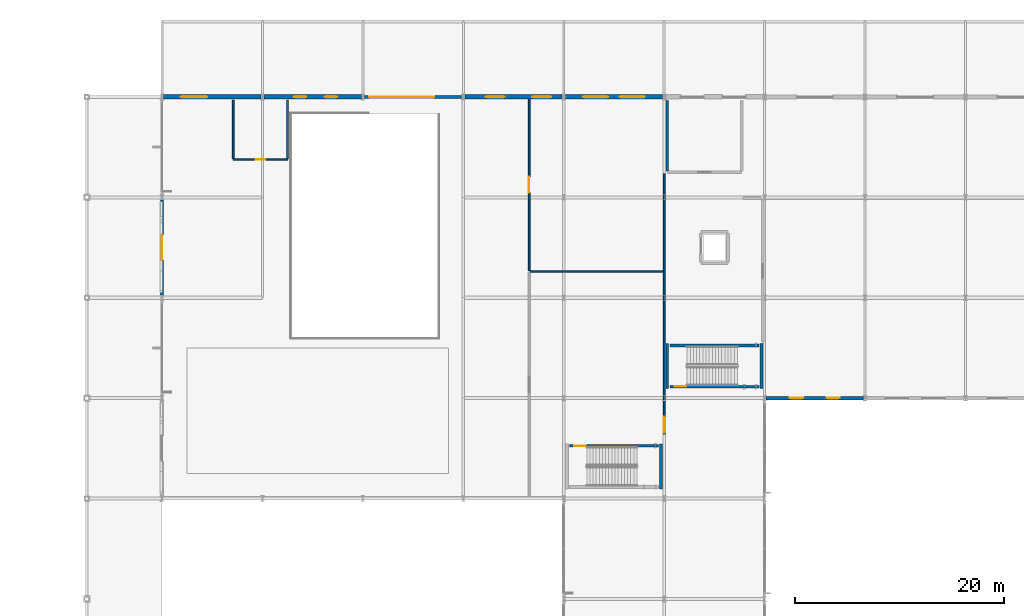
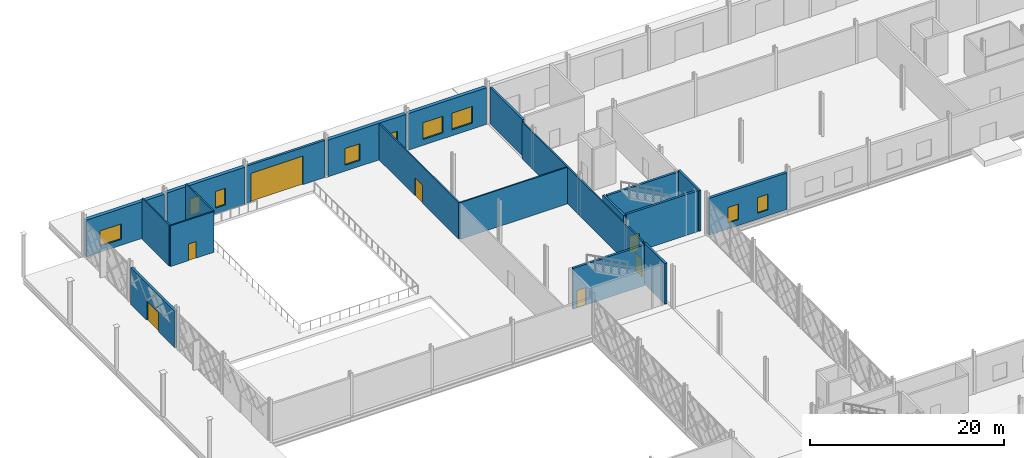
# One storey, part 55 of 84: 20 walls, 9 windows, 7 doors, 16 openings.
"""IFC4 building model written with IfcOpenShell, lengths in metres."""

from ifc_helpers import new_model, si_unit, direction, frame, frame_2d, origin, place, context, subcontext, project, spatial, rectangle, extrude, material, layer, layer_set, type_object, element, fill, save


model = new_model("IFC4")

# Units and contexts
model_context = context("Model", 3, precision=1e-05, world=origin(), true_north=direction((0.0, 1.0)))
body_context = subcontext(model_context, "Body", "Model", "MODEL_VIEW")
ifc_project = project(units=[si_unit("LENGTHUNIT", "METRE"), si_unit("AREAUNIT", "SQUARE_METRE"), si_unit("VOLUMEUNIT", "CUBIC_METRE"), si_unit("PLANEANGLEUNIT", "RADIAN"), si_unit("MASSUNIT", "GRAM", prefix="KILO")], contexts=[model_context])

# Site, building, storey
site_placement = place(None, origin())
site = spatial("IfcSite", under=ifc_project, at=site_placement, CompositionType="ELEMENT")
building_placement = place(site_placement, origin())
building = spatial("IfcBuilding", under=site, at=building_placement, Name="Zevrakil Square Congress Hotel", CompositionType="ELEMENT")
storey_placement = place(building_placement, origin())
storey = spatial("IfcBuildingStorey", under=building, at=storey_placement, Name="L01", CompositionType="ELEMENT", Elevation=0.0)

# Wall
ifc_material_1 = material(Name="Concrete C35/45", Category="concrete")
ifc_layer_1 = layer(ifc_material_1, 0.239990234375)
ifc_layer_set_1 = layer_set([ifc_layer_1], Name="Concrete C35/45")
wall_type_1 = type_object("IfcWallType", Name="WAL-COMP-240", PredefinedType="SOLIDWALL", material=ifc_layer_set_1)
wall_1_placement = place(storey_placement, frame((55.5, 105.72509765625, 0.0), z_axis=(0.0, 0.0, 1.0), x_axis=(0.0, 1.0, 0.0)))
element("IfcWall", 1, at=wall_1_placement, inside=storey, type_object=wall_type_1, Name="L01 interior partition PW-L01-0122", PredefinedType="SOLIDWALL", context=body_context, shape_type="SweptSolid", body=[
    extrude(rectangle(XDim=6.72998046875, YDim=0.239990234375, at=frame_2d((3.364990234375, 0.0))), origin(), (0.0, 0.0, 1.0), 4.625),
])

# Wall, opening, door
ifc_material_2 = material(Name="Gypsum Acoustic Stud Partition")
ifc_layer_2 = layer(ifc_material_2, 0.159912109375)
ifc_layer_set_2 = layer_set([ifc_layer_2], Name="Gypsum Acoustic Stud Partition")
wall_type_2 = type_object("IfcWallType", Name="WAL-CORR-160", PredefinedType="PARTITIONING", material=ifc_layer_set_2)
wall_2_placement = place(storey_placement, frame((42.300048828125, 96.199951171875, 0.0), z_axis=(0.0, 0.0, 1.0), x_axis=(0.0, 1.0, 0.0)))
wall_2 = element("IfcWall", 2, at=wall_2_placement, inside=storey, type_object=wall_type_2, Name="L01 interior partition PW-L01-0131", PredefinedType="PARTITIONING", context=body_context, shape_type="SweptSolid", body=[
    extrude(rectangle(XDim=16.380126953125, YDim=0.159912109375, at=frame_2d((8.18994140625, 0.0))), origin(), (0.0, 0.0, 1.0), 4.5849609375),
])
opening_1_placement = place(wall_2_placement, frame((7.4150390625, 0.0, 0.0)))
opening_1 = element("IfcOpeningElement", 3, at=opening_1_placement, cuts=wall_2, Name="Opening ID-21", PredefinedType="OPENING", context=body_context, shape_type="SweptSolid", body=[
    extrude(rectangle(XDim=1.550048828125, YDim=2.260009765625, at=frame_2d((0.77490234375, 1.1298828125))), frame((0.0, 0.08984375, 0.0), z_axis=(0.0, -1.0, 0.0), x_axis=(1.0, 0.0, 0.0)), (0.0, 0.0, 1.0), 0.179931640625),
])
ifc_material_3 = material(Name="Lounge Double Fire Door")
door_type_1 = type_object("IfcDoorType", Name="DOR-INT-V11", OperationType="NOTDEFINED", PredefinedType="DOOR", material=ifc_material_3)
door_1_placement = place(opening_1_placement, origin())
door_1 = element("IfcDoor", 4, at=door_1_placement, inside=storey, type_object=door_type_1, Name="L01 interior door 50", OperationType="DOUBLE_DOOR_SINGLE_SWING", OverallHeight=2.260009765625, OverallWidth=1.550048828125, PredefinedType="DOOR", context=body_context, shape_type="SweptSolid", body=[
    extrude(rectangle(XDim=1.550048828125, YDim=2.260009765625, at=frame_2d((0.77490234375, 1.1298828125))), frame((0.0, 0.02490234375, 0.0), z_axis=(0.0, -1.0, 0.0), x_axis=(1.0, 0.0, 0.0)), (0.0, 0.0, 1.0), 0.050048828125),
])
fill(opening_1, door_1)

# Wall
wall_3_placement = place(storey_placement, frame((42.389892578125, 96.10009765625, 0.0), z_axis=(0.0, 0.0, 1.0), x_axis=(1.0, 0.0, 0.0)))
element("IfcWall", 5, at=wall_3_placement, inside=storey, type_object=wall_type_2, Name="L01 interior partition PW-L01-0132", PredefinedType="PARTITIONING", context=body_context, shape_type="SweptSolid", body=[
    extrude(rectangle(XDim=12.710205078125, YDim=0.159912109375, at=frame_2d((6.35498046875, 0.0))), origin(), (0.0, 0.0, 1.0), 4.625),
])

# Wall, opening, door
wall_4_placement = place(storey_placement, frame((55.199951171875, 80.550048828125, 0.0), z_axis=(0.0, 0.0, 1.0), x_axis=(0.0, 1.0, 0.0)))
wall_4 = element("IfcWall", 6, at=wall_4_placement, inside=storey, type_object=wall_type_2, Name="L01 interior partition PW-L01-0133", PredefinedType="PARTITIONING", context=body_context, shape_type="SweptSolid", body=[
    extrude(rectangle(XDim=24.89990234375, YDim=0.159912109375, at=frame_2d((12.449951171875, 0.0))), origin(), (0.0, 0.0, 1.0), 4.625),
])
opening_2_placement = place(wall_4_placement, frame((0.159912109375, 0.0, 0.0)))
opening_2 = element("IfcOpeningElement", 7, at=opening_2_placement, cuts=wall_4, Name="Opening ID-03", PredefinedType="OPENING", context=body_context, shape_type="SweptSolid", body=[
    extrude(rectangle(XDim=1.5, YDim=2.25, at=frame_2d((0.75, 1.125))), frame((0.0, 0.08984375, 0.0), z_axis=(0.0, -1.0, 0.0), x_axis=(1.0, 0.0, 0.0)), (0.0, 0.0, 1.0), 0.179931640625),
])
ifc_material_4 = material(Name="Acoustic Double Meeting Door")
door_type_2 = type_object("IfcDoorType", Name="DOR-MTG-150", OperationType="NOTDEFINED", PredefinedType="DOOR", material=ifc_material_4)
door_2_placement = place(opening_2_placement, origin())
door_2 = element("IfcDoor", 8, at=door_2_placement, inside=storey, type_object=door_type_2, Name="L01 interior door 51", OperationType="DOUBLE_DOOR_SINGLE_SWING", OverallHeight=2.25, OverallWidth=1.5, PredefinedType="DOOR", context=body_context, shape_type="SweptSolid", body=[
    extrude(rectangle(XDim=1.5, YDim=2.25, at=frame_2d((0.75, 1.125))), frame((0.0, 0.02490234375, 0.0), z_axis=(0.0, -1.0, 0.0), x_axis=(1.0, 0.0, 0.0)), (0.0, 0.0, 1.0), 0.050048828125),
])
fill(opening_2, door_2)

wall_5_placement = place(storey_placement, frame((14.0, 106.800048828125, 0.0), z_axis=(0.0, 0.0, 1.0), x_axis=(1.0, 0.0, 0.0)))
wall_5 = element("IfcWall", 9, at=wall_5_placement, inside=storey, type_object=wall_type_2, Name="L01 interior partition PW-L01-0134", PredefinedType="PARTITIONING", context=body_context, shape_type="SweptSolid", body=[
    extrude(rectangle(XDim=5.199951171875, YDim=0.159912109375, at=frame_2d((2.60009765625, 0.0))), origin(), (0.0, 0.0, 1.0), 5.139892578125),
])
opening_3_placement = place(wall_5_placement, frame((2.139892578125, 0.0, 0.0)))
opening_3 = element("IfcOpeningElement", 10, at=opening_3_placement, cuts=wall_5, Name="Opening ID-07", PredefinedType="OPENING", context=body_context, shape_type="SweptSolid", body=[
    extrude(rectangle(XDim=0.919921875, YDim=2.10009765625, at=frame_2d((0.4599609375, 1.050048828125))), frame((0.0, 0.08984375, 0.0), z_axis=(0.0, -1.0, 0.0), x_axis=(1.0, 0.0, 0.0)), (0.0, 0.0, 1.0), 0.179931640625),
])
ifc_material_5 = material(Name="Accessible Restroom Door")
door_type_3 = type_object("IfcDoorType", Name="DOR-WC-092", OperationType="NOTDEFINED", PredefinedType="DOOR", material=ifc_material_5)
door_3_placement = place(opening_3_placement, origin())
door_3 = element("IfcDoor", 11, at=door_3_placement, inside=storey, type_object=door_type_3, Name="L01 interior door 52", OperationType="SINGLE_SWING_RIGHT", OverallHeight=2.10009765625, OverallWidth=0.919921875, PredefinedType="DOOR", context=body_context, shape_type="SweptSolid", body=[
    extrude(rectangle(XDim=0.919921875, YDim=2.10009765625, at=frame_2d((0.4599609375, 1.050048828125))), frame((0.0, 0.02490234375, 0.0), z_axis=(0.0, -1.0, 0.0), x_axis=(1.0, 0.0, 0.0)), (0.0, 0.0, 1.0), 0.050048828125),
])
fill(opening_3, door_3)

# Walls
for number, where, z_axis, x_axis, name in (
    (12, (14.0, 106.885009765625, 0.0), (0.0, 0.0, 1.0), (0.0, 1.0, 0.0), "L01 interior partition PW-L01-0135"),
    (13, (19.199951171875, 106.885009765625, 0.0), (0.0, 0.0, 1.0), (0.0, 1.0, 0.0), "L01 interior partition PW-L01-0136"),
):
    element("IfcWall", number, at=place(storey_placement, frame(where, z_axis=z_axis, x_axis=x_axis)), inside=storey, type_object=wall_type_2, Name=name, PredefinedType="PARTITIONING", context=body_context, shape_type="SweptSolid", body=[
        extrude(rectangle(XDim=5.610107421875, YDim=0.159912109375, at=frame_2d((2.80517578125, 0.0))), origin(), (0.0, 0.0, 1.0), 5.139892578125),
    ])

# Wall, openings, windows
ifc_material_6 = material(Name="Precast concrete C40/50", Category="concrete")
ifc_layer_3 = layer(ifc_material_6, 0.320068359375)
ifc_layer_set_3 = layer_set([ifc_layer_3], Name="Precast concrete C40/50")
wall_type_3 = type_object("IfcWallType", Name="WAL-EXT-GRC-320", PredefinedType="SOLIDWALL", material=ifc_layer_set_3)
wall_6_placement = place(storey_placement, frame((64.9541015625, 84.0, 0.0), z_axis=(0.0, 0.0, 1.0), x_axis=(1.0, 0.0, 0.0)))
wall_6 = element("IfcWall", 14, at=wall_6_placement, inside=storey, type_object=wall_type_3, Name="L01 exterior GRC wall EW-L01-0084", PredefinedType="SOLIDWALL", context=body_context, shape_type="SweptSolid", body=[
    extrude(rectangle(XDim=9.2919921875, YDim=0.320068359375, at=frame_2d((4.64599609375, 0.0))), origin(), (0.0, 0.0, 1.0), 4.625),
])
opening_4_placement = place(wall_6_placement, frame((2.27294921875, 0.0, 0.75)))
opening_4 = element("IfcOpeningElement", 15, at=opening_4_placement, cuts=wall_6, Name="Opening WN-25", PredefinedType="OPENING", context=body_context, shape_type="SweptSolid", body=[
    extrude(rectangle(XDim=1.25, YDim=1.949951171875, at=frame_2d((0.625, 0.97509765625))), frame((0.0, 0.169921875, 0.0), z_axis=(0.0, -1.0, 0.0), x_axis=(1.0, 0.0, 0.0)), (0.0, 0.0, 1.0), 0.340087890625),
])
opening_5_placement = place(wall_6_placement, frame((5.76904296875, 0.0, 0.75)))
opening_5 = element("IfcOpeningElement", 16, at=opening_5_placement, cuts=wall_6, Name="Opening WN-25", PredefinedType="OPENING", context=body_context, shape_type="SweptSolid", body=[
    extrude(rectangle(XDim=1.25, YDim=1.949951171875, at=frame_2d((0.625, 0.97509765625))), frame((0.0, 0.169921875, 0.0), z_axis=(0.0, -1.0, 0.0), x_axis=(1.0, 0.0, 0.0)), (0.0, 0.0, 1.0), 0.340087890625),
])
ifc_material_7 = material(Name="Low-E Solar Control Double Glazing", Category="glass")
window_type_1 = type_object("IfcWindowType", Name="WIN-EXT-25", PartitioningType="SINGLE_PANEL", PredefinedType="WINDOW", material=ifc_material_7)
window_1_placement = place(opening_4_placement, origin())
window_1 = element("IfcWindow", 17, at=window_1_placement, inside=storey, type_object=window_type_1, Name="L01 low-E solar window 69", OverallHeight=1.949951171875, OverallWidth=1.25, PartitioningType="SINGLE_PANEL", PredefinedType="WINDOW", context=body_context, shape_type="SweptSolid", body=[
    extrude(rectangle(XDim=1.25, YDim=1.949951171875, at=frame_2d((0.625, 0.97509765625))), frame((0.0, 0.030029296875, 0.0), z_axis=(0.0, -1.0, 0.0), x_axis=(1.0, 0.0, 0.0)), (0.0, 0.0, 1.0), 0.06005859375),
])
fill(opening_4, window_1)
window_2_placement = place(opening_5_placement, origin())
window_2 = element("IfcWindow", 18, at=window_2_placement, inside=storey, type_object=window_type_1, Name="L01 low-E solar window 70", OverallHeight=1.949951171875, OverallWidth=1.25, PartitioningType="SINGLE_PANEL", PredefinedType="WINDOW", context=body_context, shape_type="SweptSolid", body=[
    extrude(rectangle(XDim=1.25, YDim=1.949951171875, at=frame_2d((0.625, 0.97509765625))), frame((0.0, 0.030029296875, 0.0), z_axis=(0.0, -1.0, 0.0), x_axis=(1.0, 0.0, 0.0)), (0.0, 0.0, 1.0), 0.06005859375),
])
fill(opening_5, window_2)

# Wall, opening, window
ifc_material_8 = material(Name="Precast concrete C40/50", Category="concrete")
ifc_layer_4 = layer(ifc_material_8, 0.419921875)
ifc_layer_set_4 = layer_set([ifc_layer_4], Name="Precast concrete C40/50")
wall_type_4 = type_object("IfcWallType", Name="WAL-EXT-HALL-420", PredefinedType="SOLIDWALL", material=ifc_layer_set_4)
wall_7_placement = place(storey_placement, frame((7.35400390625, 112.800048828125, 0.0), z_axis=(0.0, 0.0, 1.0), x_axis=(1.0, 0.0, 0.0)))
wall_7 = element("IfcWall", 19, at=wall_7_placement, inside=storey, type_object=wall_type_4, Name="L01 exterior GRC wall EW-L01-0041", PredefinedType="SOLIDWALL", context=body_context, shape_type="SweptSolid", body=[
    extrude(rectangle(XDim=9.2919921875, YDim=0.419921875, at=frame_2d((4.64599609375, 0.0))), origin(), (0.0, 0.0, 1.0), 4.625),
])
opening_6_placement = place(wall_7_placement, frame((1.623046875, 0.0, 0.75)))
opening_6 = element("IfcOpeningElement", 20, at=opening_6_placement, cuts=wall_7, Name="Opening WN-30", PredefinedType="OPENING", context=body_context, shape_type="SweptSolid", body=[
    extrude(rectangle(XDim=2.550048828125, YDim=1.949951171875, at=frame_2d((1.27490234375, 0.97509765625))), frame((0.0, 0.219970703125, 0.0), z_axis=(0.0, -1.0, 0.0), x_axis=(1.0, 0.0, 0.0)), (0.0, 0.0, 1.0), 0.43994140625),
])
ifc_material_9 = material(Name="Low-E Solar Control Double Glazing", Category="glass")
window_type_2 = type_object("IfcWindowType", Name="WIN-EXT-30", PartitioningType="SINGLE_PANEL", PredefinedType="WINDOW", material=ifc_material_9)
window_3_placement = place(opening_6_placement, origin())
window_3 = element("IfcWindow", 21, at=window_3_placement, inside=storey, type_object=window_type_2, Name="L01 low-E solar window 30", OverallHeight=1.949951171875, OverallWidth=2.550048828125, PartitioningType="SINGLE_PANEL", PredefinedType="WINDOW", context=body_context, shape_type="SweptSolid", body=[
    extrude(rectangle(XDim=2.550048828125, YDim=1.949951171875, at=frame_2d((1.27490234375, 0.97509765625))), frame((0.0, 0.030029296875, 0.0), z_axis=(0.0, -1.0, 0.0), x_axis=(1.0, 0.0, 0.0)), (0.0, 0.0, 1.0), 0.06005859375),
])
fill(opening_6, window_3)

# Wall, openings, windows
wall_8_placement = place(storey_placement, frame((16.9541015625, 112.800048828125, 0.0), z_axis=(0.0, 0.0, 1.0), x_axis=(1.0, 0.0, 0.0)))
wall_8 = element("IfcWall", 22, at=wall_8_placement, inside=storey, type_object=wall_type_4, Name="L01 exterior GRC wall EW-L01-0042", PredefinedType="SOLIDWALL", context=body_context, shape_type="SweptSolid", body=[
    extrude(rectangle(XDim=9.2919921875, YDim=0.419921875, at=frame_2d((4.64599609375, 0.0))), origin(), (0.0, 0.0, 1.0), 4.68505859375),
])
opening_7_placement = place(wall_8_placement, frame((2.847900390625, 0.0, 0.75)))
opening_7 = element("IfcOpeningElement", 23, at=opening_7_placement, cuts=wall_8, Name="Opening WN-31", PredefinedType="OPENING", context=body_context, shape_type="SweptSolid", body=[
    extrude(rectangle(XDim=1.199951171875, YDim=2.10009765625, at=frame_2d((0.60009765625, 1.050048828125))), frame((0.0, 0.219970703125, 0.0), z_axis=(0.0, -1.0, 0.0), x_axis=(1.0, 0.0, 0.0)), (0.0, 0.0, 1.0), 0.43994140625),
])
opening_8_placement = place(wall_8_placement, frame((5.7939453125, 0.0, 0.75)))
opening_8 = element("IfcOpeningElement", 24, at=opening_8_placement, cuts=wall_8, Name="Opening WN-31", PredefinedType="OPENING", context=body_context, shape_type="SweptSolid", body=[
    extrude(rectangle(XDim=1.199951171875, YDim=2.10009765625, at=frame_2d((0.60009765625, 1.050048828125))), frame((0.0, 0.219970703125, 0.0), z_axis=(0.0, -1.0, 0.0), x_axis=(1.0, 0.0, 0.0)), (0.0, 0.0, 1.0), 0.43994140625),
])
ifc_material_10 = material(Name="Low-E Solar Control Double Glazing", Category="glass")
window_type_3 = type_object("IfcWindowType", Name="WIN-EXT-31", PartitioningType="SINGLE_PANEL", PredefinedType="WINDOW", material=ifc_material_10)
window_4_placement = place(opening_7_placement, origin())
window_4 = element("IfcWindow", 25, at=window_4_placement, inside=storey, type_object=window_type_3, Name="L01 low-E solar window 31", OverallHeight=2.10009765625, OverallWidth=1.199951171875, PartitioningType="SINGLE_PANEL", PredefinedType="WINDOW", context=body_context, shape_type="SweptSolid", body=[
    extrude(rectangle(XDim=1.199951171875, YDim=2.10009765625, at=frame_2d((0.60009765625, 1.050048828125))), frame((0.0, 0.030029296875, 0.0), z_axis=(0.0, -1.0, 0.0), x_axis=(1.0, 0.0, 0.0)), (0.0, 0.0, 1.0), 0.06005859375),
])
fill(opening_7, window_4)
window_5_placement = place(opening_8_placement, origin())
window_5 = element("IfcWindow", 26, at=window_5_placement, inside=storey, type_object=window_type_3, Name="L01 low-E solar window 32", OverallHeight=2.10009765625, OverallWidth=1.199951171875, PartitioningType="SINGLE_PANEL", PredefinedType="WINDOW", context=body_context, shape_type="SweptSolid", body=[
    extrude(rectangle(XDim=1.199951171875, YDim=2.10009765625, at=frame_2d((0.60009765625, 1.050048828125))), frame((0.0, 0.030029296875, 0.0), z_axis=(0.0, -1.0, 0.0), x_axis=(1.0, 0.0, 0.0)), (0.0, 0.0, 1.0), 0.06005859375),
])
fill(opening_8, window_5)

wall_9_placement = place(storey_placement, frame((36.154052734375, 112.800048828125, 0.0), z_axis=(0.0, 0.0, 1.0), x_axis=(1.0, 0.0, 0.0)))
wall_9 = element("IfcWall", 27, at=wall_9_placement, inside=storey, type_object=wall_type_4, Name="L01 exterior GRC wall EW-L01-0044", PredefinedType="SOLIDWALL", context=body_context, shape_type="SweptSolid", body=[
    extrude(rectangle(XDim=9.2919921875, YDim=0.419921875, at=frame_2d((4.64599609375, 0.0))), origin(), (0.0, 0.0, 1.0), 4.625),
])
opening_9_placement = place(wall_9_placement, frame((1.998046875, 0.0, 0.75)))
opening_9 = element("IfcOpeningElement", 28, at=opening_9_placement, cuts=wall_9, Name="Opening WN-33", PredefinedType="OPENING", context=body_context, shape_type="SweptSolid", body=[
    extrude(rectangle(XDim=1.800048828125, YDim=2.10009765625, at=frame_2d((0.89990234375, 1.050048828125))), frame((0.0, 0.219970703125, 0.0), z_axis=(0.0, -1.0, 0.0), x_axis=(1.0, 0.0, 0.0)), (0.0, 0.0, 1.0), 0.43994140625),
])
opening_10_placement = place(wall_9_placement, frame((6.444091796875, 0.0, 0.75)))
opening_10 = element("IfcOpeningElement", 29, at=opening_10_placement, cuts=wall_9, Name="Opening WN-33", PredefinedType="OPENING", context=body_context, shape_type="SweptSolid", body=[
    extrude(rectangle(XDim=1.800048828125, YDim=2.10009765625, at=frame_2d((0.89990234375, 1.050048828125))), frame((0.0, 0.219970703125, 0.0), z_axis=(0.0, -1.0, 0.0), x_axis=(1.0, 0.0, 0.0)), (0.0, 0.0, 1.0), 0.43994140625),
])
ifc_material_11 = material(Name="Low-E Solar Control Double Glazing", Category="glass")
window_type_4 = type_object("IfcWindowType", Name="WIN-EXT-33", PartitioningType="SINGLE_PANEL", PredefinedType="WINDOW", material=ifc_material_11)
window_6_placement = place(opening_9_placement, origin())
window_6 = element("IfcWindow", 30, at=window_6_placement, inside=storey, type_object=window_type_4, Name="L01 low-E solar window 33", OverallHeight=2.10009765625, OverallWidth=1.800048828125, PartitioningType="SINGLE_PANEL", PredefinedType="WINDOW", context=body_context, shape_type="SweptSolid", body=[
    extrude(rectangle(XDim=1.800048828125, YDim=2.10009765625, at=frame_2d((0.89990234375, 1.050048828125))), frame((0.0, 0.030029296875, 0.0), z_axis=(0.0, -1.0, 0.0), x_axis=(1.0, 0.0, 0.0)), (0.0, 0.0, 1.0), 0.06005859375),
])
fill(opening_9, window_6)
window_7_placement = place(opening_10_placement, origin())
window_7 = element("IfcWindow", 31, at=window_7_placement, inside=storey, type_object=window_type_4, Name="L01 low-E solar window 34", OverallHeight=2.10009765625, OverallWidth=1.800048828125, PartitioningType="SINGLE_PANEL", PredefinedType="WINDOW", context=body_context, shape_type="SweptSolid", body=[
    extrude(rectangle(XDim=1.800048828125, YDim=2.10009765625, at=frame_2d((0.89990234375, 1.050048828125))), frame((0.0, 0.030029296875, 0.0), z_axis=(0.0, -1.0, 0.0), x_axis=(1.0, 0.0, 0.0)), (0.0, 0.0, 1.0), 0.06005859375),
])
fill(opening_10, window_7)

wall_10_placement = place(storey_placement, frame((45.75390625, 112.800048828125, 0.0), z_axis=(0.0, 0.0, 1.0), x_axis=(1.0, 0.0, 0.0)))
wall_10 = element("IfcWall", 32, at=wall_10_placement, inside=storey, type_object=wall_type_4, Name="L01 exterior GRC wall EW-L01-0045", PredefinedType="SOLIDWALL", context=body_context, shape_type="SweptSolid", body=[
    extrude(rectangle(XDim=9.2919921875, YDim=0.419921875, at=frame_2d((4.64599609375, 0.0))), origin(), (0.0, 0.0, 1.0), 4.625),
])
opening_11_placement = place(wall_10_placement, frame((1.697998046875, 0.0, 0.75)))
opening_11 = element("IfcOpeningElement", 33, at=opening_11_placement, cuts=wall_10, Name="Opening WN-35", PredefinedType="OPENING", context=body_context, shape_type="SweptSolid", body=[
    extrude(rectangle(XDim=2.39990234375, YDim=2.10009765625, at=frame_2d((1.199951171875, 1.050048828125))), frame((0.0, 0.219970703125, 0.0), z_axis=(0.0, -1.0, 0.0), x_axis=(1.0, 0.0, 0.0)), (0.0, 0.0, 1.0), 0.43994140625),
])
opening_12_placement = place(wall_10_placement, frame((5.194091796875, 0.0, 0.75)))
opening_12 = element("IfcOpeningElement", 34, at=opening_12_placement, cuts=wall_10, Name="Opening WN-35", PredefinedType="OPENING", context=body_context, shape_type="SweptSolid", body=[
    extrude(rectangle(XDim=2.39990234375, YDim=2.10009765625, at=frame_2d((1.199951171875, 1.050048828125))), frame((0.0, 0.219970703125, 0.0), z_axis=(0.0, -1.0, 0.0), x_axis=(1.0, 0.0, 0.0)), (0.0, 0.0, 1.0), 0.43994140625),
])
ifc_material_12 = material(Name="Low-E Solar Control Double Glazing", Category="glass")
window_type_5 = type_object("IfcWindowType", Name="WIN-EXT-35", PartitioningType="SINGLE_PANEL", PredefinedType="WINDOW", material=ifc_material_12)
window_8_placement = place(opening_11_placement, origin())
window_8 = element("IfcWindow", 35, at=window_8_placement, inside=storey, type_object=window_type_5, Name="L01 low-E solar window 35", OverallHeight=2.10009765625, OverallWidth=2.39990234375, PartitioningType="SINGLE_PANEL", PredefinedType="WINDOW", context=body_context, shape_type="SweptSolid", body=[
    extrude(rectangle(XDim=2.39990234375, YDim=2.10009765625, at=frame_2d((1.199951171875, 1.050048828125))), frame((0.0, 0.030029296875, 0.0), z_axis=(0.0, -1.0, 0.0), x_axis=(1.0, 0.0, 0.0)), (0.0, 0.0, 1.0), 0.06005859375),
])
fill(opening_11, window_8)
window_9_placement = place(opening_12_placement, origin())
window_9 = element("IfcWindow", 36, at=window_9_placement, inside=storey, type_object=window_type_5, Name="L01 low-E solar window 36", OverallHeight=2.10009765625, OverallWidth=2.39990234375, PartitioningType="SINGLE_PANEL", PredefinedType="WINDOW", context=body_context, shape_type="SweptSolid", body=[
    extrude(rectangle(XDim=2.39990234375, YDim=2.10009765625, at=frame_2d((1.199951171875, 1.050048828125))), frame((0.0, 0.030029296875, 0.0), z_axis=(0.0, -1.0, 0.0), x_axis=(1.0, 0.0, 0.0)), (0.0, 0.0, 1.0), 0.06005859375),
])
fill(opening_12, window_9)

# Wall, opening, door
ifc_material_13 = material(Name="Precast concrete C40/50", Category="concrete")
ifc_layer_5 = layer(ifc_material_13, 0.280029296875)
ifc_layer_set_5 = layer_set([ifc_layer_5], Name="Precast concrete C40/50")
wall_type_5 = type_object("IfcWallType", Name="WAL-EXT-PAV-280", PredefinedType="SOLIDWALL", material=ifc_layer_set_5)
wall_11_placement = place(storey_placement, frame((7.199951171875, 93.85400390625, 0.0), z_axis=(0.0, 0.0, 1.0), x_axis=(0.0, 1.0, 0.0)))
wall_11 = element("IfcWall", 37, at=wall_11_placement, inside=storey, type_object=wall_type_5, Name="L01 exterior GRC wall EW-L01-0032", PredefinedType="SOLIDWALL", context=body_context, shape_type="SweptSolid", body=[
    extrude(rectangle(XDim=9.092041015625, YDim=0.280029296875, at=frame_2d((4.5458984375, 0.0))), origin(), (0.0, 0.0, 1.0), 4.625),
])
opening_13_placement = place(wall_11_placement, frame((3.345947265625, 0.0, 0.0)))
opening_13 = element("IfcOpeningElement", 38, at=opening_13_placement, cuts=wall_11, Name="Opening E28", PredefinedType="OPENING", context=body_context, shape_type="SweptSolid", body=[
    extrude(rectangle(XDim=2.39990234375, YDim=2.39990234375, at=frame_2d((1.199951171875, 1.199951171875))), frame((0.0, 0.14990234375, 0.0), z_axis=(0.0, -1.0, 0.0), x_axis=(1.0, 0.0, 0.0)), (0.0, 0.0, 1.0), 0.300048828125),
])
ifc_material_14 = material(Name="Aluminium Thermal-Break Glazed Door", Category="aluminium")
door_type_4 = type_object("IfcDoorType", Name="DOR-EXIT-240", OperationType="NOTDEFINED", PredefinedType="DOOR", material=ifc_material_14)
door_4_placement = place(opening_13_placement, origin())
door_4 = element("IfcDoor", 39, at=door_4_placement, inside=storey, type_object=door_type_4, Name="L01 pedestrian final exit door E28", OperationType="DOUBLE_DOOR_SINGLE_SWING", OverallHeight=2.39990234375, OverallWidth=2.39990234375, PredefinedType="DOOR", context=body_context, shape_type="SweptSolid", body=[
    extrude(rectangle(XDim=2.39990234375, YDim=2.39990234375, at=frame_2d((1.199951171875, 1.199951171875))), frame((0.0, 0.02490234375, 0.0), z_axis=(0.0, -1.0, 0.0), x_axis=(1.0, 0.0, 0.0)), (0.0, 0.0, 1.0), 0.050048828125),
])
fill(opening_13, door_4)

wall_12_placement = place(storey_placement, frame((26.553955078125, 112.800048828125, 0.0), z_axis=(0.0, 0.0, 1.0), x_axis=(1.0, 0.0, 0.0)))
wall_12 = element("IfcWall", 40, at=wall_12_placement, inside=storey, type_object=wall_type_5, Name="L01 exterior GRC wall EW-L01-0043", PredefinedType="SOLIDWALL", context=body_context, shape_type="SweptSolid", body=[
    extrude(rectangle(XDim=9.2919921875, YDim=0.280029296875, at=frame_2d((4.64599609375, 0.0))), origin(), (0.0, 0.0, 1.0), 4.68505859375),
])
opening_14_placement = place(wall_12_placement, frame((0.446044921875, 0.0, 0.0)))
opening_14 = element("IfcOpeningElement", 41, at=opening_14_placement, cuts=wall_12, Name="Opening VG-01", PredefinedType="OPENING", context=body_context, shape_type="SweptSolid", body=[
    extrude(rectangle(XDim=6.199951171875, YDim=3.60009765625, at=frame_2d((3.10009765625, 1.800048828125))), frame((0.0, 0.14990234375, 0.0), z_axis=(0.0, -1.0, 0.0), x_axis=(1.0, 0.0, 0.0)), (0.0, 0.0, 1.0), 0.300048828125),
])
ifc_material_15 = material(Name="Aluminium Thermal-Break Glazed Door", Category="aluminium")
door_type_5 = type_object("IfcDoorType", Name="DOR-VEHGATE-620", OperationType="NOTDEFINED", PredefinedType="GATE", material=ifc_material_15)
door_5_placement = place(opening_14_placement, origin())
door_5 = element("IfcDoor", 42, at=door_5_placement, inside=storey, type_object=door_type_5, Name="Car park vehicle ramp roller shutter gate VG-01", OperationType="ROLLINGUP", OverallHeight=3.60009765625, OverallWidth=6.199951171875, PredefinedType="GATE", context=body_context, shape_type="SweptSolid", body=[
    extrude(rectangle(XDim=6.199951171875, YDim=3.60009765625, at=frame_2d((3.10009765625, 1.800048828125))), frame((0.0, 0.02490234375, 0.0), z_axis=(0.0, -1.0, 0.0), x_axis=(1.0, 0.0, 0.0)), (0.0, 0.0, 1.0), 0.050048828125),
])
fill(opening_14, door_5)

# Walls
ifc_material_16 = material(Name="Concrete C40/50", Category="concrete")
ifc_layer_6 = layer(ifc_material_16, 0.260009765625)
ifc_layer_set_6 = layer_set([ifc_layer_6], Name="Concrete C40/50")
wall_type_6 = type_object("IfcWallType", Name="WAL-SHAFT-260", PredefinedType="SHEAR", material=ifc_layer_set_6)
for number, where, z_axis, x_axis, name in (
    (43, (55.5048828125, 84.93994140625, 0.0), (0.0, 0.0, 1.0), (0.0, 1.0, 0.0), "L01 ST05 stair shaft W wall"),
    (44, (64.4951171875, 84.93994140625, 0.0), (0.0, 0.0, 1.0), (0.0, 1.0, 0.0), "L01 ST05 stair shaft E wall"),
):
    element("IfcWall", number, at=place(storey_placement, frame(where, z_axis=z_axis, x_axis=x_axis)), inside=storey, type_object=wall_type_6, Name=name, PredefinedType="SHEAR", context=body_context, shape_type="SweptSolid", body=[
        extrude(rectangle(XDim=4.27001953125, YDim=0.260009765625, at=frame_2d((2.135009765625, 0.0))), origin(), (0.0, 0.0, 1.0), 5.139892578125),
    ])

# Wall, opening, door
wall_13_placement = place(storey_placement, frame((55.739990234375, 85.10498046875, 0.0), z_axis=(0.0, 0.0, 1.0), x_axis=(1.0, 0.0, 0.0)))
wall_13 = element("IfcWall", 45, at=wall_13_placement, inside=storey, type_object=wall_type_6, Name="L01 ST05 stair shaft S wall", PredefinedType="SHEAR", context=body_context, shape_type="SweptSolid", body=[
    extrude(rectangle(XDim=8.52001953125, YDim=0.260009765625, at=frame_2d((4.260009765625, 0.0))), origin(), (0.0, 0.0, 1.0), 5.139892578125),
])
opening_15_placement = place(wall_13_placement, frame((0.449951171875, 0.0, 0.0)))
opening_15 = element("IfcOpeningElement", 46, at=opening_15_placement, cuts=wall_13, Name="Opening SD-ST05", PredefinedType="OPENING", context=body_context, shape_type="SweptSolid", body=[
    extrude(rectangle(XDim=1.10009765625, YDim=2.199951171875, at=frame_2d((0.550048828125, 1.10009765625))), frame((0.0, 0.14013671875, 0.0), z_axis=(0.0, -1.0, 0.0), x_axis=(1.0, 0.0, 0.0)), (0.0, 0.0, 1.0), 0.280029296875),
])
ifc_material_17 = material(Name="Steel S355 Fire-Rated Door", Category="steel")
door_type_6 = type_object("IfcDoorType", Name="DOR-STAIR-FD90-110", OperationType="NOTDEFINED", PredefinedType="DOOR", material=ifc_material_17)
door_6_placement = place(opening_15_placement, origin())
door_6 = element("IfcDoor", 47, at=door_6_placement, inside=storey, type_object=door_type_6, Name="L01 ST05 protected stair fire door", OperationType="SINGLE_SWING_RIGHT", OverallHeight=2.199951171875, OverallWidth=1.10009765625, PredefinedType="DOOR", context=body_context, shape_type="SweptSolid", body=[
    extrude(rectangle(XDim=1.10009765625, YDim=2.199951171875, at=frame_2d((0.550048828125, 1.10009765625))), frame((0.0, 0.02490234375, 0.0), z_axis=(0.0, -1.0, 0.0), x_axis=(1.0, 0.0, 0.0)), (0.0, 0.0, 1.0), 0.050048828125),
])
fill(opening_15, door_6)

# Walls
wall_14_placement = place(storey_placement, frame((55.739990234375, 89.044921875, 0.0), z_axis=(0.0, 0.0, 1.0), x_axis=(1.0, 0.0, 0.0)))
element("IfcWall", 48, at=wall_14_placement, inside=storey, type_object=wall_type_6, Name="L01 ST05 stair shaft N wall", PredefinedType="SHEAR", context=body_context, shape_type="SweptSolid", body=[
    extrude(rectangle(XDim=8.52001953125, YDim=0.260009765625, at=frame_2d((4.260009765625, 0.0))), origin(), (0.0, 0.0, 1.0), 5.139892578125),
])
wall_15_placement = place(storey_placement, frame((54.89501953125, 75.340087890625, 0.0), z_axis=(0.0, 0.0, 1.0), x_axis=(0.0, 1.0, 0.0)))
element("IfcWall", 49, at=wall_15_placement, inside=storey, type_object=wall_type_6, Name="L01 ST14 stair shaft E wall", PredefinedType="SHEAR", context=body_context, shape_type="SweptSolid", body=[
    extrude(rectangle(XDim=4.27001953125, YDim=0.260009765625, at=frame_2d((2.135009765625, 0.0))), origin(), (0.0, 0.0, 1.0), 5.139892578125),
])

# Wall, opening, door
wall_16_placement = place(storey_placement, frame((46.139892578125, 79.445068359375, 0.0), z_axis=(0.0, 0.0, 1.0), x_axis=(1.0, 0.0, 0.0)))
wall_16 = element("IfcWall", 50, at=wall_16_placement, inside=storey, type_object=wall_type_6, Name="L01 ST14 stair shaft N wall", PredefinedType="SHEAR", context=body_context, shape_type="SweptSolid", body=[
    extrude(rectangle(XDim=8.52001953125, YDim=0.260009765625, at=frame_2d((4.260009765625, 0.0))), origin(), (0.0, 0.0, 1.0), 5.139892578125),
])
opening_16_placement = place(wall_16_placement, frame((0.449951171875, 0.0, 0.0)))
opening_16 = element("IfcOpeningElement", 51, at=opening_16_placement, cuts=wall_16, Name="Opening SD-ST14", PredefinedType="OPENING", context=body_context, shape_type="SweptSolid", body=[
    extrude(rectangle(XDim=1.10009765625, YDim=2.199951171875, at=frame_2d((0.550048828125, 1.10009765625))), frame((0.0, 0.14013671875, 0.0), z_axis=(0.0, -1.0, 0.0), x_axis=(1.0, 0.0, 0.0)), (0.0, 0.0, 1.0), 0.280029296875),
])
door_7_placement = place(opening_16_placement, origin())
door_7 = element("IfcDoor", 52, at=door_7_placement, inside=storey, type_object=door_type_6, Name="L01 ST14 protected stair fire door", OperationType="SINGLE_SWING_LEFT", OverallHeight=2.199951171875, OverallWidth=1.10009765625, PredefinedType="DOOR", context=body_context, shape_type="SweptSolid", body=[
    extrude(rectangle(XDim=1.10009765625, YDim=2.199951171875, at=frame_2d((0.550048828125, 1.10009765625))), frame((0.0, 0.02490234375, 0.0), z_axis=(0.0, -1.0, 0.0), x_axis=(1.0, 0.0, 0.0)), (0.0, 0.0, 1.0), 0.050048828125),
])
fill(opening_16, door_7)

save(model, "model.ifc")
